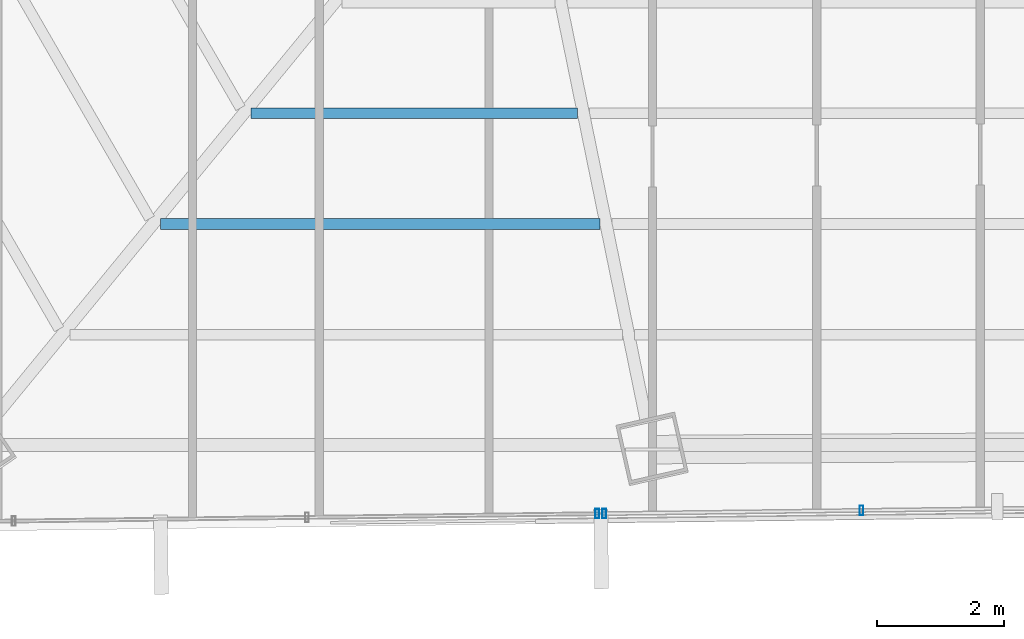
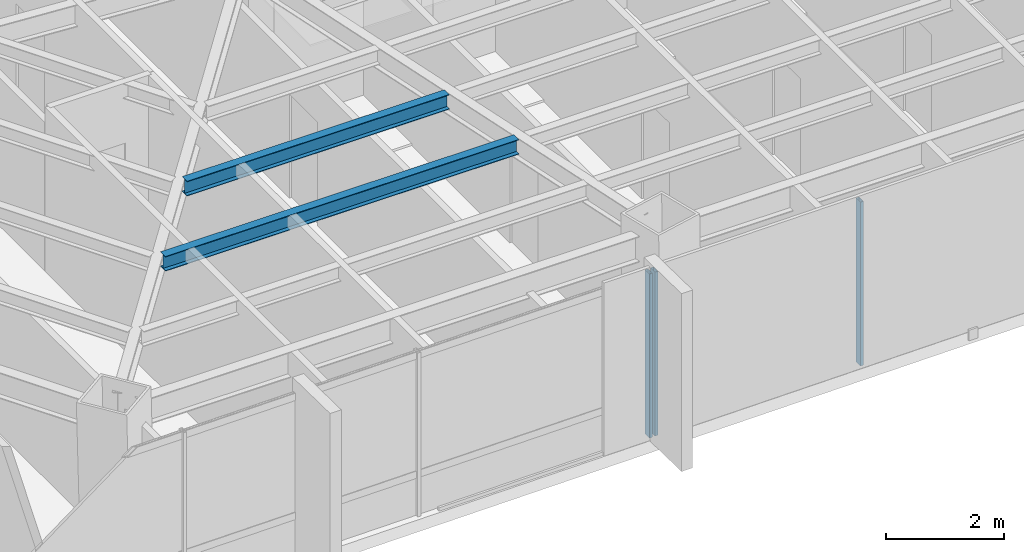
# One storey, part 8 of 42: 3 members, 2 beams, 2 elements without a shape of their own.
"""IFC4 building model written with IfcOpenShell, lengths in metres."""

from ifc_helpers import new_model, si_unit, direction, frame, origin, origin_2d, place, context, subcontext, project, spatial, hollow_rectangle, i_section, extrude, source, transform, mapped, material, material_profile, profile_set, type_object, type_shapes, element, aggregate, save


model = new_model("IFC4")

# Units and contexts
model_context = context("Model", 3, precision=1e-05, world=origin(), true_north=direction((0.0, 1.0)))
body_context = subcontext(model_context, "Body", "Model", "MODEL_VIEW")
ifc_project = project(units=[si_unit("LENGTHUNIT", "METRE"), si_unit("AREAUNIT", "SQUARE_METRE"), si_unit("VOLUMEUNIT", "CUBIC_METRE"), si_unit("PLANEANGLEUNIT", "RADIAN"), si_unit("MASSUNIT", "GRAM", prefix="KILO")], contexts=[model_context])

# Site, building, storey
site_placement = place(None, origin())
site = spatial("IfcSite", under=ifc_project, at=site_placement, CompositionType="ELEMENT")
building_placement = place(site_placement, origin())
building = spatial("IfcBuilding", under=site, at=building_placement, Name="Caelisora Broadcast Tower", CompositionType="ELEMENT")
storey_placement = place(building_placement, frame((0.0, 0.0, 131.800048828125)))
storey = spatial("IfcBuildingStorey", under=building, at=storey_placement, Name="L34", CompositionType="ELEMENT", Elevation=131.800048828125)

# Beams
ifc_material_1 = material(Name="Steel Grade 350 (AS/NZS 3679.1)", Category="steel")
ifc_material_profile_1 = material_profile(ifc_material_1, i_section(OverallWidth=0.166015625, OverallDepth=0.30712890625, WebThickness=0.006591796875, FlangeThickness=0.01171875, at=origin_2d()), Name="Steel Grade 350 (AS/NZS 3679.1)")
ifc_profile_set_1 = profile_set([ifc_material_profile_1], Name="Steel Grade 350 (AS/NZS 3679.1)")
beam_type = type_object("IfcBeamType", Name="SB03", PredefinedType="JOIST", material=ifc_profile_set_1)
shared_shape_1 = source(origin(), body_context, "Body", "SweptSolid", [
    extrude(i_section(OverallWidth=0.166015625, OverallDepth=0.30712890625, WebThickness=0.006591796875, FlangeThickness=0.01171875, at=origin_2d()), origin(), (0.0, 0.0, 1.0), 5.146728515625),
])
beam_1_placement = place(storey_placement, frame((26.327880859375, 12.168212890625, 3.246337890625), z_axis=(1.0, 0.0, 0.0), x_axis=(0.0, 1.0, 0.0)))
element("IfcBeam", 1, at=beam_1_placement, inside=storey, type_object=beam_type, Name="L34 beam SB03", PredefinedType="JOIST", context=body_context, shape_type="MappedRepresentation", body=[
    mapped(shared_shape_1, transform((0.0, 0.0, 0.0), scale=1.0)),
])
shared_shape_2 = source(origin(), body_context, "Body", "SweptSolid", [
    extrude(i_section(OverallWidth=0.166015625, OverallDepth=0.30712890625, WebThickness=0.006591796875, FlangeThickness=0.01171875, at=origin_2d()), origin(), (0.0, 0.0, 1.0), 6.933837890625),
])
type_shapes(beam_type, [shared_shape_1, shared_shape_2])
beam_2_placement = place(storey_placement, frame((24.897216796875, 10.424072265625, 3.246337890625), z_axis=(1.0, 0.0, 0.0), x_axis=(0.0, 1.0, 0.0)))
element("IfcBeam", 2, at=beam_2_placement, inside=storey, type_object=beam_type, Name="L34 beam SB03", PredefinedType="JOIST", context=body_context, shape_type="MappedRepresentation", body=[
    mapped(shared_shape_2, transform((0.0, 0.0, 0.0), scale=1.0)),
])

# Curtain wall, members
ifc_material_2 = material(Name="Unitised Aluminium Insulated Shadow-Box Spandrel Curtain Wall", Category="aluminium")
curtain_wall_type_1 = type_object("IfcCurtainWallType", Name="CW-SP2", PredefinedType="NOTDEFINED", material=ifc_material_2)
curtain_wall_1_placement = place(storey_placement, origin())
curtain_wall_1 = element("IfcCurtainWall", 3, at=curtain_wall_1_placement, inside=storey, type_object=curtain_wall_type_1, Name="L34 curtain wall CW-SP2", PredefinedType="NOTDEFINED")
ifc_material_3 = material(Name="Aluminium 6063-T6 Anodised Terracotta Bronze", Category="aluminium")
ifc_material_profile_2 = material_profile(ifc_material_3, hollow_rectangle(XDim=0.06005859375, YDim=0.14990234375, WallThickness=0.00341796875, at=origin_2d()), Name="Aluminium 6063-T6 Anodised Terracotta Bronze")
ifc_profile_set_2 = profile_set([ifc_material_profile_2], Name="Aluminium 6063-T6 Anodised Terracotta Bronze")
member_type = type_object("IfcMemberType", Name="CWM-03", PredefinedType="MULLION", material=ifc_profile_set_2)
shared_shape_3 = source(origin(), body_context, "Body", "SweptSolid", [
    extrude(hollow_rectangle(XDim=0.06005859375, YDim=0.14990234375, WallThickness=0.00341796875, at=origin_2d()), origin(), (0.0, 0.0, 1.0), 3.39990234375),
])
type_shapes(member_type, [shared_shape_3])
member_1_placement = place(storey_placement, frame((35.95703125, 5.905029296875, 0.0), z_axis=(0.0, 0.0, 1.0), x_axis=(1.0, 0.0, 0.0)))
member_1 = element("IfcMember", 4, at=member_1_placement, type_object=member_type, Name="L34-CW-B06 mullion #2", PredefinedType="MULLION", context=body_context, shape_type="MappedRepresentation", body=[
    mapped(shared_shape_3, transform((0.0, 0.0, 0.0), scale=1.0)),
])
member_2_placement = place(storey_placement, frame((31.8974609375, 5.85400390625, 0.0), z_axis=(0.0, 0.0, 1.0), x_axis=(1.0, 0.0, 0.0)))
member_2 = element("IfcMember", 5, at=member_2_placement, type_object=member_type, Name="L34-CW-B06 mullion #3", PredefinedType="MULLION", context=body_context, shape_type="MappedRepresentation", body=[
    mapped(shared_shape_3, transform((0.0, 0.0, 0.0), scale=1.0)),
])
aggregate(curtain_wall_1, [member_1, member_2])

# Curtain wall, member
ifc_material_4 = material(Name="Unitised Aluminium and Low-E Glass Curtain Wall", Category="glass")
curtain_wall_type_2 = type_object("IfcCurtainWallType", Name="CW-Z3", PredefinedType="NOTDEFINED", material=ifc_material_4)
curtain_wall_2_placement = place(storey_placement, origin())
curtain_wall_2 = element("IfcCurtainWall", 6, at=curtain_wall_2_placement, inside=storey, type_object=curtain_wall_type_2, Name="L34 curtain wall CW-Z3", PredefinedType="NOTDEFINED")
member_3_placement = place(storey_placement, frame((31.787353515625, 5.852783203125, 0.0), z_axis=(0.0, 0.0, 1.0), x_axis=(1.0, 0.0, 0.0)))
member_3 = element("IfcMember", 7, at=member_3_placement, type_object=member_type, Name="L34-CW-B07 mullion #0", PredefinedType="MULLION", context=body_context, shape_type="MappedRepresentation", body=[
    mapped(shared_shape_3, transform((0.0, 0.0, 0.0), scale=1.0)),
])
aggregate(curtain_wall_2, [member_3])

save(model, "model.ifc")
